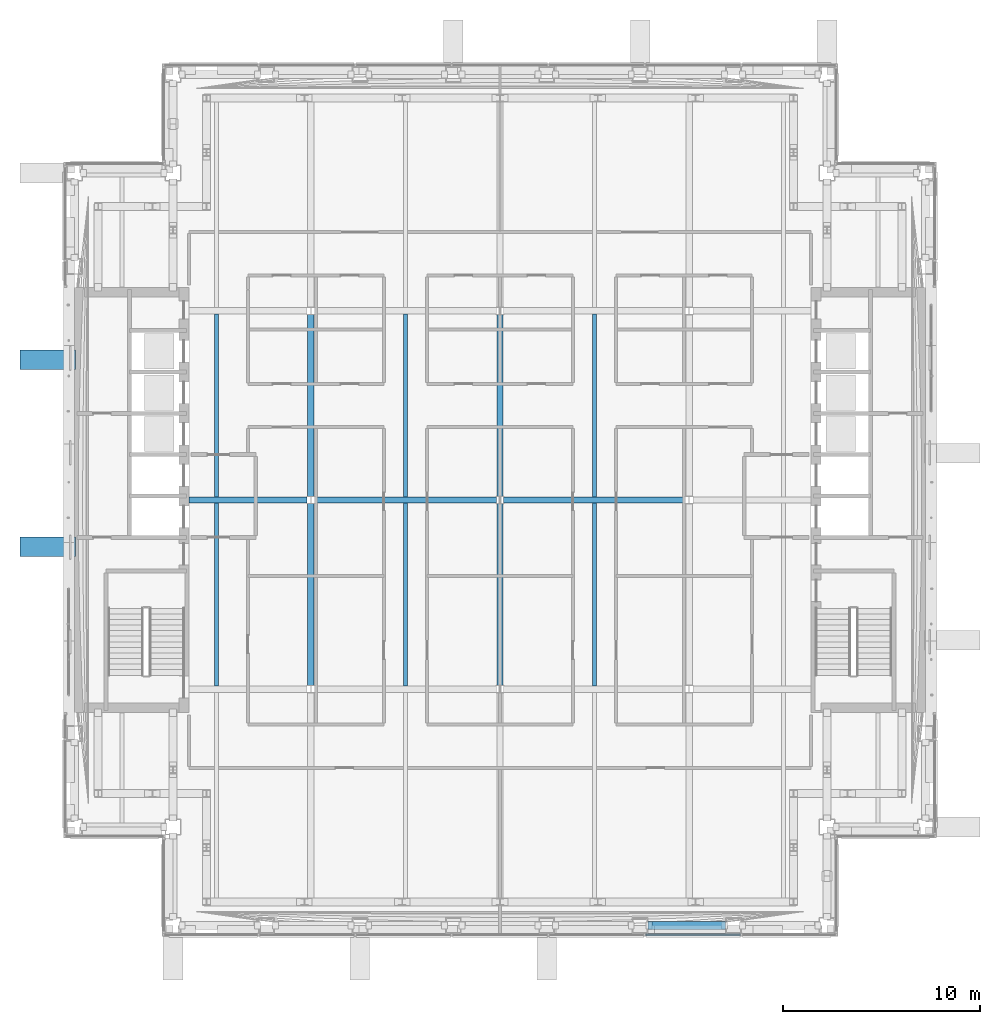
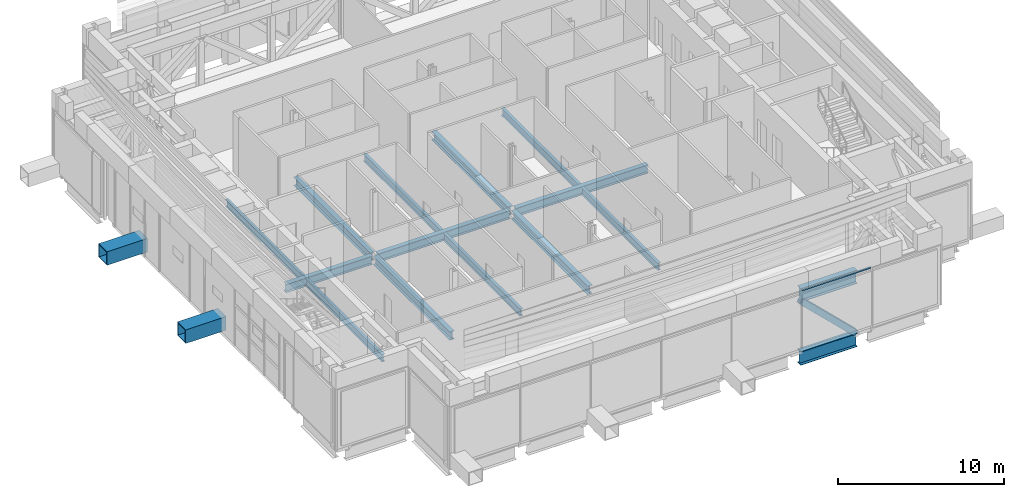
# One storey, part 5 of 29: 15 beams, 4 members, 1 element without a shape of its own.
"""IFC4 building model written with IfcOpenShell, lengths in metres."""

from ifc_helpers import new_model, si_unit, direction, frame, origin, origin_2d, place, context, subcontext, project, spatial, rectangle, hollow_rectangle, i_section, extrude, material, material_profile, profile_set, type_object, element, aggregate, save


model = new_model("IFC4")

# Units and contexts
model_context = context("Model", 3, precision=1e-05, world=origin(), true_north=direction((0.0, 1.0)))
body_context = subcontext(model_context, "Body", "Model", "MODEL_VIEW")
ifc_project = project(units=[si_unit("LENGTHUNIT", "METRE"), si_unit("AREAUNIT", "SQUARE_METRE"), si_unit("VOLUMEUNIT", "CUBIC_METRE"), si_unit("PLANEANGLEUNIT", "RADIAN"), si_unit("MASSUNIT", "GRAM", prefix="KILO")], contexts=[model_context])

# Site, building, storey
site_placement = place(None, origin())
site = spatial("IfcSite", under=ifc_project, at=site_placement, CompositionType="ELEMENT")
building_placement = place(site_placement, origin())
building = spatial("IfcBuilding", under=site, at=building_placement, Name="Cobrizo Arcos Hotel Tower", CompositionType="ELEMENT")
storey_placement = place(building_placement, frame((0.0, 0.0, 186.5)))
storey = spatial("IfcBuildingStorey", under=building, at=storey_placement, Name="L48", CompositionType="ELEMENT", Elevation=186.5)

# Beams
ifc_material_1 = material(Name="Steel ASTM A572 Grade 50", Category="steel")
ifc_material_profile_1 = material_profile(ifc_material_1, hollow_rectangle(XDim=1.0, YDim=1.0, WallThickness=0.06005859375, at=origin_2d()), Name="BOX 1000X1000X60")
ifc_profile_set_1 = profile_set([ifc_material_profile_1], Name="Steel ASTM A572 Grade 50")
beam_type_1 = type_object("IfcBeamType", Name="BOX 1000X1000X60 brace connector strut", PredefinedType="BEAM", material=ifc_profile_set_1)
for number, where, z_axis, x_axis, name in (
    (1, (-21.550048828125, 7.1142578125, 0.5), (-1.0, 0.0, 0.0), (0.0, -1.0, 0.0), "Perimeter brace stub BS1, zone Z3, west face, offset +7.11 m, L48"),
    (2, (-21.550048828125, -2.371337890625, 0.5), (-1.0, 0.0, 0.0), (0.0, -1.0, 0.0), "Perimeter brace stub BS1, zone Z3, west face, offset -2.37 m, L48"),
):
    element("IfcBeam", number, at=place(storey_placement, frame(where, z_axis=z_axis, x_axis=x_axis)), inside=storey, type_object=beam_type_1, Name=name, PredefinedType="BEAM", context=body_context, shape_type="SweptSolid", body=[
        extrude(hollow_rectangle(XDim=1.0, YDim=1.0, WallThickness=0.06005859375, at=origin_2d()), origin(), (0.0, 0.0, 1.0), 2.820068359375),
    ])

# Curtain wall, member
ifc_material_2 = material(Name="Aluminium 6063-T6 anodised bronze", Category="aluminium")
curtain_wall_type = type_object("IfcCurtainWallType", Name="CW-D plant louvre wall", PredefinedType="NOTDEFINED", material=ifc_material_2)
curtain_wall_placement = place(storey_placement, origin())
curtain_wall = element("IfcCurtainWall", 3, at=curtain_wall_placement, inside=storey, type_object=curtain_wall_type, Name="CW-D L48 S face", PredefinedType="NOTDEFINED")
ifc_material_profile_2 = material_profile(ifc_material_2, rectangle(XDim=0.10009765625, YDim=0.10009765625, at=origin_2d()), Name="CW-D transom 100x100")
ifc_profile_set_2 = profile_set([ifc_material_profile_2], Name="Aluminium 6063-T6 anodised bronze")
member_type_1 = type_object("IfcMemberType", Name="CW-D transom 100x100", PredefinedType="USERDEFINED", material=ifc_profile_set_2)
member_1_placement = place(storey_placement, frame((7.39990234375, -22.074951171875, 4.449951171875), z_axis=(1.0, 0.0, 0.0), x_axis=(0.0, 1.0, 0.0)))
member_1 = element("IfcMember", 4, at=member_1_placement, type_object=member_type_1, Name="CW-D transom 1671", ObjectType="TRANSOM", PredefinedType="USERDEFINED", context=body_context, shape_type="SweptSolid", body=[
    extrude(rectangle(XDim=0.10009765625, YDim=0.10009765625, at=origin_2d()), origin(), (0.0, 0.0, 1.0), 4.800048828125),
])
aggregate(curtain_wall, [member_1])

# Member
ifc_material_3 = material(Name="Steel ASTM A500 Grade C", Category="steel")
ifc_material_profile_3 = material_profile(ifc_material_3, hollow_rectangle(XDim=0.406494140625, YDim=0.406494140625, WallThickness=0.014892578125, at=origin_2d()), Name="HSS16X16X5/8")
ifc_profile_set_3 = profile_set([ifc_material_profile_3], Name="Steel ASTM A500 Grade C")
member_type_2 = type_object("IfcMemberType", Name="HSS16X16X5/8 truss diagonal", PredefinedType="BRACE", material=ifc_profile_set_3)
member_2_placement = place(storey_placement, frame((7.593994140625, -21.60009765625, 3.359375), z_axis=(0.718744947416, 0.0, -0.695273831353), x_axis=(0.0, 1.0, 0.0)))
element("IfcMember", 5, at=member_2_placement, inside=storey, type_object=member_type_2, Name="Belt truss diagonal TD1, L48, no. 006", PredefinedType="BRACE", context=body_context, shape_type="SweptSolid", body=[
    extrude(hollow_rectangle(XDim=0.406494140625, YDim=0.406494140625, WallThickness=0.014892578125, at=origin_2d()), origin(), (0.0, 0.0, 1.0), 5.26318359375),
])

# Beams
ifc_material_4 = material(Name="Steel ASTM A992 Grade 50", Category="steel")
ifc_material_profile_4 = material_profile(ifc_material_4, i_section(OverallWidth=0.209228515625, OverallDepth=0.533447265625, WebThickness=0.01025390625, FlangeThickness=0.015625, at=origin_2d()), Name="W21X62")
ifc_profile_set_4 = profile_set([ifc_material_profile_4], Name="Steel ASTM A992 Grade 50")
beam_type_2 = type_object("IfcBeamType", Name="W21X62 joist", PredefinedType="JOIST", material=ifc_profile_set_4)
for number, where, z_axis, x_axis, name in (
    (6, (-14.39990234375, -9.43603515625, -0.566650390625), (0.0, 1.0, 0.0), (-1.0, 0.0, 0.0), "Floor joist J1, L48, no. 006"),
    (7, (-14.39990234375, 0.163818359375, -0.566650390625), (0.0, 1.0, 0.0), (-1.0, 0.0, 0.0), "Floor joist J1, L48, no. 007"),
    (8, (-4.800048828125, -9.43603515625, -0.566650390625), (0.0, 1.0, 0.0), (-1.0, 0.0, 0.0), "Floor joist J1, L48, no. 010"),
    (9, (-4.800048828125, 0.163818359375, -0.566650390625), (0.0, 1.0, 0.0), (-1.0, 0.0, 0.0), "Floor joist J1, L48, no. 011"),
    (10, (4.800048828125, -9.43603515625, -0.566650390625), (0.0, 1.0, 0.0), (-1.0, 0.0, 0.0), "Floor joist J1, L48, no. 014"),
    (11, (4.800048828125, 0.163818359375, -0.566650390625), (0.0, 1.0, 0.0), (-1.0, 0.0, 0.0), "Floor joist J1, L48, no. 015"),
):
    element("IfcBeam", number, at=place(storey_placement, frame(where, z_axis=z_axis, x_axis=x_axis)), inside=storey, type_object=beam_type_2, Name=name, PredefinedType="JOIST", context=body_context, shape_type="SweptSolid", body=[
        extrude(i_section(OverallWidth=0.209228515625, OverallDepth=0.533447265625, WebThickness=0.01025390625, FlangeThickness=0.015625, at=origin_2d()), origin(), (0.0, 0.0, 1.0), 9.272216796875),
    ])
ifc_material_profile_5 = material_profile(ifc_material_4, i_section(OverallWidth=0.32763671875, OverallDepth=0.622314453125, WebThickness=0.015380859375, FlangeThickness=0.0244140625, at=origin_2d()), Name="W24X131")
ifc_profile_set_5 = profile_set([ifc_material_profile_5], Name="Steel ASTM A992 Grade 50")
beam_type_3 = type_object("IfcBeamType", Name="W24X131 girder", PredefinedType="BEAM", material=ifc_profile_set_5)
beam_placement = place(storey_placement, frame((-15.7900390625, 0.0, -0.611083984375), z_axis=(1.0, 0.0, 0.0), x_axis=(0.0, 1.0, 0.0)))
element("IfcBeam", 12, at=beam_placement, inside=storey, type_object=beam_type_3, Name="Floor girder G1, L48, no. 005", PredefinedType="BEAM", context=body_context, shape_type="SweptSolid", body=[
    extrude(i_section(OverallWidth=0.32763671875, OverallDepth=0.622314453125, WebThickness=0.015380859375, FlangeThickness=0.0244140625, at=origin_2d()), origin(), (0.0, 0.0, 1.0), 6.00341796875),
])
for number, where, z_axis, x_axis, name in (
    (13, (-9.413330078125, 0.0, -0.611083984375), (1.0, 0.0, 0.0), (0.0, 1.0, 0.0), "Floor girder G1, L48, no. 006"),
    (14, (0.186767578125, 0.0, -0.611083984375), (1.0, 0.0, 0.0), (0.0, 1.0, 0.0), "Floor girder G1, L48, no. 007"),
    (15, (-9.60009765625, -9.413330078125, -0.611083984375), (0.0, 1.0, 0.0), (-1.0, 0.0, 0.0), "Floor girder G1, L48, no. 014"),
    (16, (-9.60009765625, 0.186767578125, -0.611083984375), (0.0, 1.0, 0.0), (-1.0, 0.0, 0.0), "Floor girder G1, L48, no. 015"),
    (17, (0.0, -9.413330078125, -0.611083984375), (0.0, 1.0, 0.0), (-1.0, 0.0, 0.0), "Floor girder G1, L48, no. 018"),
    (18, (0.0, 0.186767578125, -0.611083984375), (0.0, 1.0, 0.0), (-1.0, 0.0, 0.0), "Floor girder G1, L48, no. 019"),
):
    element("IfcBeam", number, at=place(storey_placement, frame(where, z_axis=z_axis, x_axis=x_axis)), inside=storey, type_object=beam_type_3, Name=name, PredefinedType="BEAM", context=body_context, shape_type="SweptSolid", body=[
        extrude(i_section(OverallWidth=0.32763671875, OverallDepth=0.622314453125, WebThickness=0.015380859375, FlangeThickness=0.0244140625, at=origin_2d()), origin(), (0.0, 0.0, 1.0), 9.2265625),
    ])

# Members
ifc_material_profile_6 = material_profile(ifc_material_4, i_section(OverallWidth=0.4013671875, OverallDepth=0.990478515625, WebThickness=0.0166015625, FlangeThickness=0.025390625, at=origin_2d()), Name="W40X215")
ifc_profile_set_6 = profile_set([ifc_material_profile_6], Name="Steel ASTM A992 Grade 50")
member_type_3 = type_object("IfcMemberType", Name="W40X215 belt truss chord", PredefinedType="CHORD", material=ifc_profile_set_6)
for number, where, z_axis, x_axis, name in (
    (19, (7.513916015625, -21.60009765625, -0.79541015625), (1.0, 0.0, 0.0), (0.0, 1.0, 0.0), "Belt truss bottom chord TC1, L48, no. 006"),
    (20, (7.513916015625, -21.60009765625, 3.854736328125), (1.0, 0.0, 0.0), (0.0, 1.0, 0.0), "Belt truss top chord TC1, L48, no. 006"),
):
    element("IfcMember", number, at=place(storey_placement, frame(where, z_axis=z_axis, x_axis=x_axis)), inside=storey, type_object=member_type_3, Name=name, PredefinedType="CHORD", context=body_context, shape_type="SweptSolid", body=[
        extrude(i_section(OverallWidth=0.4013671875, OverallDepth=0.990478515625, WebThickness=0.0166015625, FlangeThickness=0.025390625, at=origin_2d()), origin(), (0.0, 0.0, 1.0), 3.943115234375),
    ])

save(model, "model.ifc")
